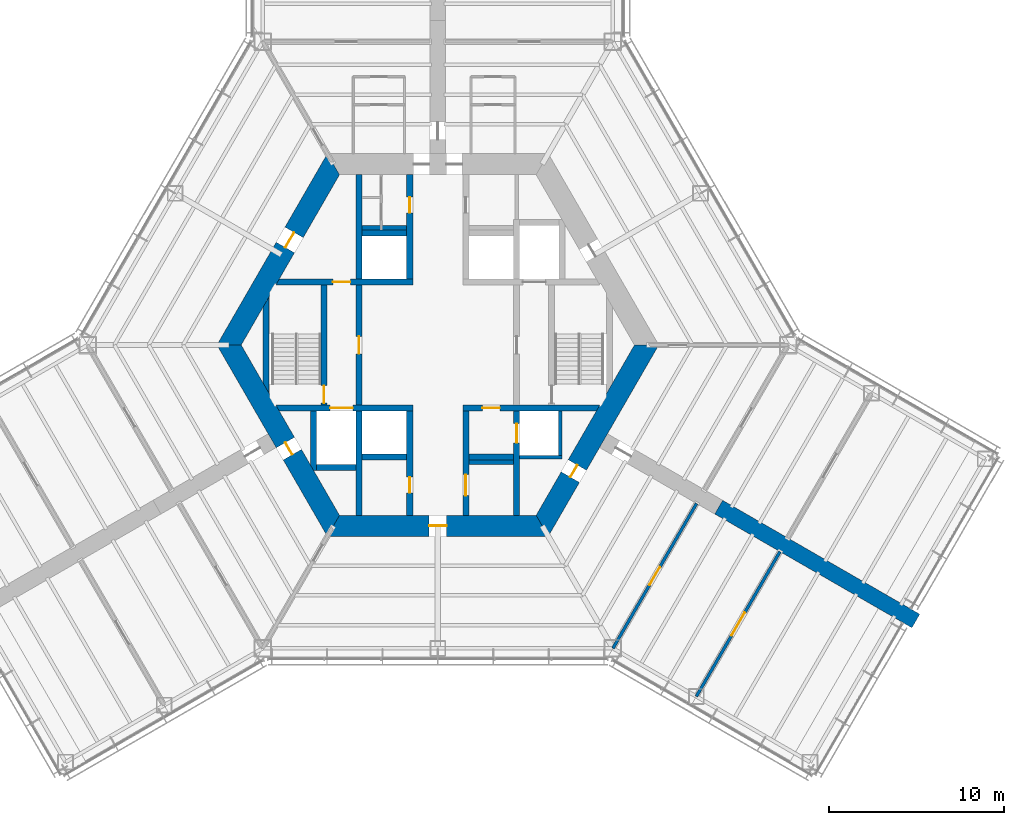
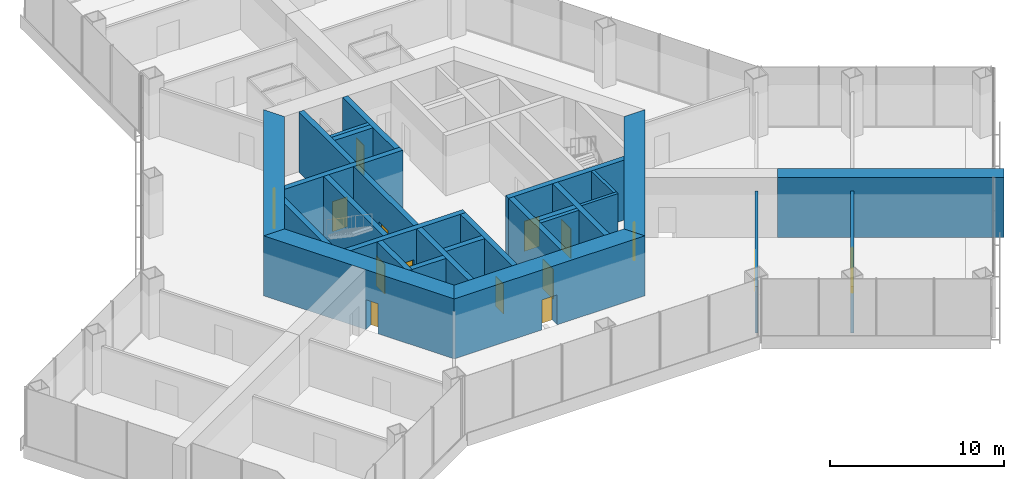
# One storey, part 11 of 15: 28 walls, 15 doors, 15 openings.
"""IFC4 building model written with IfcOpenShell, lengths in metres."""

from ifc_helpers import new_model, si_unit, direction, frame, frame_2d, origin, place, context, subcontext, project, spatial, polyline, rectangle, outline, extrude, material, layer, layer_set, type_object, element, fill, save


model = new_model("IFC4")

# Units and contexts
model_context = context("Model", 3, precision=1e-05, world=origin(), true_north=direction((0.0, 1.0)))
body_context = subcontext(model_context, "Body", "Model", "MODEL_VIEW")
ifc_project = project(units=[si_unit("LENGTHUNIT", "METRE"), si_unit("AREAUNIT", "SQUARE_METRE"), si_unit("VOLUMEUNIT", "CUBIC_METRE"), si_unit("PLANEANGLEUNIT", "RADIAN"), si_unit("MASSUNIT", "GRAM", prefix="KILO")], contexts=[model_context])

# Site, building, storey
site_placement = place(None, origin())
site = spatial("IfcSite", under=ifc_project, at=site_placement, CompositionType="ELEMENT")
building_placement = place(site_placement, origin())
building = spatial("IfcBuilding", under=site, at=building_placement, Name="Kasaneha Research Tower", CompositionType="ELEMENT")
storey_placement = place(building_placement, frame((0.0, 0.0, 39.39990234375)))
storey = spatial("IfcBuildingStorey", under=building, at=storey_placement, Name="L10", CompositionType="ELEMENT", Elevation=39.39990234375)

# Wall, opening, door
ifc_material_1 = material(Name="Concrete Fc100", Category="concrete")
ifc_layer_1 = layer(ifc_material_1, 0.35009765625)
ifc_layer_set_1 = layer_set([ifc_layer_1], Name="Core internal wall 350 Fc100")
wall_type_1 = type_object("IfcWallType", Name="Core internal wall 350 Fc100", PredefinedType="SHEAR", material=ifc_layer_set_1)
wall_1_placement = place(storey_placement, frame((-9.151123046875, 3.60009765625, 0.0), z_axis=(0.0, 0.0, 1.0), x_axis=(1.0, 0.0, 0.0)))
wall_1 = element("IfcWall", 1, at=wall_1_placement, inside=storey, type_object=wall_type_1, Name="Core wall W1W L10", PredefinedType="SHEAR", context=body_context, shape_type="SweptSolid", body=[
    extrude(outline(polyline([(-0.10107421875, -0.175048828125), (3.151123046875, -0.175048828125), (4.151123046875, -0.175048828125), (7.72607421875, -0.175048828125), (7.72607421875, 0.175048828125), (4.151123046875, 0.175048828125), (3.151123046875, 0.175048828125), (0.10107421875, 0.175048828125), (-0.10107421875, -0.175048828125)])), origin(), (0.0, 0.0, 1.0), 4.2001953125),
])
opening_1_placement = place(wall_1_placement, frame((3.151123046875, 0.0, 0.0)))
opening_1 = element("IfcOpeningElement", 2, at=opening_1_placement, cuts=wall_1, Name="Opening L10-D12", PredefinedType="OPENING", context=body_context, shape_type="SweptSolid", body=[
    extrude(rectangle(XDim=1.0, YDim=2.10009765625, at=frame_2d((0.5, 1.050048828125))), frame((0.0, 0.18505859375, 0.0), z_axis=(0.0, -1.0, 0.0), x_axis=(1.0, 0.0, 0.0)), (0.0, 0.0, 1.0), 0.3701171875),
])
ifc_material_2 = material(Name="Steel", Category="steel")
door_type_1 = type_object("IfcDoorType", Name="Specified fire door FD60 1000x2100", OperationType="NOTDEFINED", PredefinedType="DOOR", material=ifc_material_2)
door_1_placement = place(opening_1_placement, origin())
door_1 = element("IfcDoor", 3, at=door_1_placement, inside=storey, type_object=door_type_1, Name="Vestibule to lobby door L10-D12", OperationType="SINGLE_SWING_LEFT", OverallHeight=2.10009765625, OverallWidth=1.0, PredefinedType="DOOR", context=body_context, shape_type="SweptSolid", body=[
    extrude(rectangle(XDim=1.0, YDim=2.10009765625, at=frame_2d((0.5, 1.050048828125))), frame((0.0, 0.02490234375, 0.0), z_axis=(0.0, -1.0, 0.0), x_axis=(1.0, 0.0, 0.0)), (0.0, 0.0, 1.0), 0.050048828125),
])
fill(opening_1, door_1)

wall_2_placement = place(storey_placement, frame((-9.151123046875, -3.60009765625, 0.0), z_axis=(0.0, 0.0, 1.0), x_axis=(1.0, 0.0, 0.0)))
wall_2 = element("IfcWall", 4, at=wall_2_placement, inside=storey, type_object=wall_type_1, Name="Core wall W2W L10", PredefinedType="SHEAR", context=body_context, shape_type="SweptSolid", body=[
    extrude(outline(polyline([(0.10107421875, -0.175048828125), (3.0009765625, -0.175048828125), (4.301025390625, -0.175048828125), (7.72607421875, -0.175048828125), (7.72607421875, 0.175048828125), (4.301025390625, 0.175048828125), (3.0009765625, 0.175048828125), (-0.10107421875, 0.175048828125), (0.10107421875, -0.175048828125)])), origin(), (0.0, 0.0, 1.0), 4.2001953125),
])
opening_2_placement = place(wall_2_placement, frame((3.0009765625, 0.0, 0.0)))
opening_2 = element("IfcOpeningElement", 5, at=opening_2_placement, cuts=wall_2, Name="Opening LD-FL2-L10", PredefinedType="OPENING", context=body_context, shape_type="SweptSolid", body=[
    extrude(rectangle(XDim=1.300048828125, YDim=2.10009765625, at=frame_2d((0.64990234375, 1.050048828125))), frame((0.0, 0.18505859375, 0.0), z_axis=(0.0, -1.0, 0.0), x_axis=(1.0, 0.0, 0.0)), (0.0, 0.0, 1.0), 0.3701171875),
])
ifc_material_3 = material(Name="Steel", Category="steel")
door_type_2 = type_object("IfcDoorType", Name="Lift landing door 1300x2100", OperationType="DOUBLE_DOOR_SLIDING", PredefinedType="DOOR", material=ifc_material_3)
door_2_placement = place(opening_2_placement, origin())
door_2 = element("IfcDoor", 6, at=door_2_placement, inside=storey, type_object=door_type_2, Name="Landing door FL2 LD-FL2-L10", OperationType="DOUBLE_DOOR_SLIDING", OverallHeight=2.10009765625, OverallWidth=1.300048828125, PredefinedType="DOOR", context=body_context, shape_type="SweptSolid", body=[
    extrude(rectangle(XDim=1.300048828125, YDim=2.10009765625, at=frame_2d((0.64990234375, 1.050048828125))), frame((0.0, 0.02490234375, 0.0), z_axis=(0.0, -1.0, 0.0), x_axis=(1.0, 0.0, 0.0)), (0.0, 0.0, 1.0), 0.050048828125),
])
fill(opening_2, door_2)

wall_3_placement = place(storey_placement, frame((1.425048828125, -3.60009765625, 0.0), z_axis=(0.0, 0.0, 1.0), x_axis=(1.0, 0.0, 0.0)))
wall_3 = element("IfcWall", 7, at=wall_3_placement, inside=storey, type_object=wall_type_1, Name="Core wall W2E L10", PredefinedType="SHEAR", context=body_context, shape_type="SweptSolid", body=[
    extrude(outline(polyline([(0.0, -0.175048828125), (1.125, -0.175048828125), (2.125, -0.175048828125), (7.625, -0.175048828125), (7.8271484375, 0.175048828125), (2.125, 0.175048828125), (1.125, 0.175048828125), (0.0, 0.175048828125), (0.0, -0.175048828125)])), origin(), (0.0, 0.0, 1.0), 4.2001953125),
])
opening_3_placement = place(wall_3_placement, frame((1.125, 0.0, 0.0)))
opening_3 = element("IfcOpeningElement", 8, at=opening_3_placement, cuts=wall_3, Name="Opening L10-LV", PredefinedType="OPENING", context=body_context, shape_type="SweptSolid", body=[
    extrude(rectangle(XDim=1.0, YDim=2.10009765625, at=frame_2d((0.5, 1.050048828125))), frame((0.0, 0.18505859375, 0.0), z_axis=(0.0, -1.0, 0.0), x_axis=(1.0, 0.0, 0.0)), (0.0, 0.0, 1.0), 0.3701171875),
])
door_3_placement = place(opening_3_placement, origin())
door_3 = element("IfcDoor", 9, at=door_3_placement, inside=storey, type_object=door_type_1, Name="Podium vestibule door L10-LV", OperationType="SINGLE_SWING_LEFT", OverallHeight=2.10009765625, OverallWidth=1.0, PredefinedType="DOOR", context=body_context, shape_type="SweptSolid", body=[
    extrude(rectangle(XDim=1.0, YDim=2.10009765625, at=frame_2d((0.5, 1.050048828125))), frame((0.0, 0.02490234375, 0.0), z_axis=(0.0, -1.0, 0.0), x_axis=(1.0, 0.0, 0.0)), (0.0, 0.0, 1.0), 0.050048828125),
])
fill(opening_3, door_3)

wall_4_placement = place(storey_placement, frame((-1.60009765625, 3.77490234375, 0.0), z_axis=(0.0, 0.0, 1.0), x_axis=(0.0, 1.0, 0.0)))
wall_4 = element("IfcWall", 10, at=wall_4_placement, inside=storey, type_object=wall_type_1, Name="Core wall CNW L10", PredefinedType="SHEAR", context=body_context, shape_type="SweptSolid", body=[
    extrude(rectangle(XDim=5.9501953125, YDim=0.35009765625, at=frame_2d((2.97509765625, 0.0))), origin(), (0.0, 0.0, 1.0), 4.2001953125),
])
opening_4_placement = place(wall_4_placement, frame((3.77490234375, 0.0, 0.0)))
opening_4 = element("IfcOpeningElement", 11, at=opening_4_placement, cuts=wall_4, Name="Opening L10-D13", PredefinedType="OPENING", context=body_context, shape_type="SweptSolid", body=[
    extrude(rectangle(XDim=0.89990234375, YDim=2.10009765625, at=frame_2d((0.449951171875, 1.050048828125))), frame((0.0, 0.18505859375, 0.0), z_axis=(0.0, -1.0, 0.0), x_axis=(1.0, 0.0, 0.0)), (0.0, 0.0, 1.0), 0.3701171875),
])
ifc_material_4 = material(Name="Steel", Category="steel")
door_type_3 = type_object("IfcDoorType", Name="Toilet door FD20 900x2100", OperationType="NOTDEFINED", PredefinedType="DOOR", material=ifc_material_4)
door_4_placement = place(opening_4_placement, origin())
door_4 = element("IfcDoor", 12, at=door_4_placement, inside=storey, type_object=door_type_3, Name="Men's WC door L10-D13", OperationType="SINGLE_SWING_LEFT", OverallHeight=2.10009765625, OverallWidth=0.89990234375, PredefinedType="DOOR", context=body_context, shape_type="SweptSolid", body=[
    extrude(rectangle(XDim=0.89990234375, YDim=2.10009765625, at=frame_2d((0.449951171875, 1.050048828125))), frame((0.0, 0.02490234375, 0.0), z_axis=(0.0, -1.0, 0.0), x_axis=(1.0, 0.0, 0.0)), (0.0, 0.0, 1.0), 0.050048828125),
])
fill(opening_4, door_4)

wall_5_placement = place(storey_placement, frame((-1.60009765625, -3.77490234375, 0.0), z_axis=(0.0, 0.0, 1.0), x_axis=(0.0, -1.0, 0.0)))
wall_5 = element("IfcWall", 13, at=wall_5_placement, inside=storey, type_object=wall_type_1, Name="Core wall CSW L10", PredefinedType="SHEAR", context=body_context, shape_type="SweptSolid", body=[
    extrude(rectangle(XDim=5.9501953125, YDim=0.35009765625, at=frame_2d((2.97509765625, 0.0))), origin(), (0.0, 0.0, 1.0), 4.2001953125),
])
opening_5_placement = place(wall_5_placement, frame((3.77490234375, 0.0, 0.0)))
opening_5 = element("IfcOpeningElement", 14, at=opening_5_placement, cuts=wall_5, Name="Opening L10-D16", PredefinedType="OPENING", context=body_context, shape_type="SweptSolid", body=[
    extrude(rectangle(XDim=0.89990234375, YDim=2.10009765625, at=frame_2d((0.449951171875, 1.050048828125))), frame((0.0, 0.18505859375, 0.0), z_axis=(0.0, -1.0, 0.0), x_axis=(1.0, 0.0, 0.0)), (0.0, 0.0, 1.0), 0.3701171875),
])
ifc_material_5 = material(Name="Steel", Category="steel")
door_type_4 = type_object("IfcDoorType", Name="Riser access door FD60 900x2100", OperationType="NOTDEFINED", PredefinedType="DOOR", material=ifc_material_5)
door_5_placement = place(opening_5_placement, origin())
door_5 = element("IfcDoor", 15, at=door_5_placement, inside=storey, type_object=door_type_4, Name="Electrical riser door L10-D16", OperationType="SINGLE_SWING_LEFT", OverallHeight=2.10009765625, OverallWidth=0.89990234375, PredefinedType="DOOR", context=body_context, shape_type="SweptSolid", body=[
    extrude(rectangle(XDim=0.89990234375, YDim=2.10009765625, at=frame_2d((0.449951171875, 1.050048828125))), frame((0.0, 0.02490234375, 0.0), z_axis=(0.0, -1.0, 0.0), x_axis=(1.0, 0.0, 0.0)), (0.0, 0.0, 1.0), 0.050048828125),
])
fill(opening_5, door_5)

wall_6_placement = place(storey_placement, frame((1.60009765625, -3.77490234375, 0.0), z_axis=(0.0, 0.0, 1.0), x_axis=(0.0, -1.0, 0.0)))
wall_6 = element("IfcWall", 16, at=wall_6_placement, inside=storey, type_object=wall_type_1, Name="Core wall CSE L10", PredefinedType="SHEAR", context=body_context, shape_type="SweptSolid", body=[
    extrude(rectangle(XDim=5.9501953125, YDim=0.35009765625, at=frame_2d((2.97509765625, 0.0))), origin(), (0.0, 0.0, 1.0), 4.2001953125),
])
opening_6_placement = place(wall_6_placement, frame((3.625, 0.0, 0.0)))
opening_6 = element("IfcOpeningElement", 17, at=opening_6_placement, cuts=wall_6, Name="Opening L10-D15", PredefinedType="OPENING", context=body_context, shape_type="SweptSolid", body=[
    extrude(rectangle(XDim=1.199951171875, YDim=2.10009765625, at=frame_2d((0.60009765625, 1.050048828125))), frame((0.0, 0.18505859375, 0.0), z_axis=(0.0, -1.0, 0.0), x_axis=(1.0, 0.0, 0.0)), (0.0, 0.0, 1.0), 0.3701171875),
])
ifc_material_6 = material(Name="Steel", Category="steel")
door_type_5 = type_object("IfcDoorType", Name="Accessible toilet sliding door FD20 1200x2100", OperationType="SLIDING_TO_LEFT", PredefinedType="DOOR", material=ifc_material_6)
door_6_placement = place(opening_6_placement, origin())
door_6 = element("IfcDoor", 18, at=door_6_placement, inside=storey, type_object=door_type_5, Name="Accessible WC door L10-D15", OperationType="SLIDING_TO_LEFT", OverallHeight=2.10009765625, OverallWidth=1.199951171875, PredefinedType="DOOR", context=body_context, shape_type="SweptSolid", body=[
    extrude(rectangle(XDim=1.199951171875, YDim=2.10009765625, at=frame_2d((0.60009765625, 1.050048828125))), frame((0.0, 0.02490234375, 0.0), z_axis=(0.0, -1.0, 0.0), x_axis=(1.0, 0.0, 0.0)), (0.0, 0.0, 1.0), 0.050048828125),
])
fill(opening_6, door_6)

wall_7_placement = place(storey_placement, frame((-4.5, -3.425048828125, 0.0), z_axis=(0.0, 0.0, 1.0), x_axis=(0.0, 1.0, 0.0)))
wall_7 = element("IfcWall", 19, at=wall_7_placement, inside=storey, type_object=wall_type_1, Name="Core wall LBW L10", PredefinedType="SHEAR", context=body_context, shape_type="SweptSolid", body=[
    extrude(rectangle(XDim=6.85009765625, YDim=0.35009765625, at=frame_2d((3.425048828125, 0.0))), origin(), (0.0, 0.0, 1.0), 4.2001953125),
])
opening_7_placement = place(wall_7_placement, frame((2.925048828125, 0.0, 0.0)))
opening_7 = element("IfcOpeningElement", 20, at=opening_7_placement, cuts=wall_7, Name="Opening L10-D09", PredefinedType="OPENING", context=body_context, shape_type="SweptSolid", body=[
    extrude(rectangle(XDim=1.0, YDim=2.10009765625, at=frame_2d((0.5, 1.050048828125))), frame((0.0, 0.18505859375, 0.0), z_axis=(0.0, -1.0, 0.0), x_axis=(1.0, 0.0, 0.0)), (0.0, 0.0, 1.0), 0.3701171875),
])
door_7_placement = place(opening_7_placement, origin())
door_7 = element("IfcDoor", 21, at=door_7_placement, inside=storey, type_object=door_type_1, Name="Lift lobby door west L10-D09", OperationType="SINGLE_SWING_LEFT", OverallHeight=2.10009765625, OverallWidth=1.0, PredefinedType="DOOR", context=body_context, shape_type="SweptSolid", body=[
    extrude(rectangle(XDim=1.0, YDim=2.10009765625, at=frame_2d((0.5, 1.050048828125))), frame((0.0, 0.02490234375, 0.0), z_axis=(0.0, -1.0, 0.0), x_axis=(1.0, 0.0, 0.0)), (0.0, 0.0, 1.0), 0.050048828125),
])
fill(opening_7, door_7)

wall_8_placement = place(storey_placement, frame((-6.5, -3.425048828125, 0.0), z_axis=(0.0, 0.0, 1.0), x_axis=(0.0, 1.0, 0.0)))
wall_8 = element("IfcWall", 22, at=wall_8_placement, inside=storey, type_object=wall_type_1, Name="Core wall ANW L10", PredefinedType="SHEAR", context=body_context, shape_type="SweptSolid", body=[
    extrude(rectangle(XDim=6.85009765625, YDim=0.35009765625, at=frame_2d((3.425048828125, 0.0))), origin(), (0.0, 0.0, 1.0), 4.2001953125),
])
opening_8_placement = place(wall_8_placement, frame((0.10009765625, 0.0, 0.0)))
opening_8 = element("IfcOpeningElement", 23, at=opening_8_placement, cuts=wall_8, Name="Opening L10-D11", PredefinedType="OPENING", context=body_context, shape_type="SweptSolid", body=[
    extrude(rectangle(XDim=1.0, YDim=2.10009765625, at=frame_2d((0.5, 1.050048828125))), frame((0.0, 0.18505859375, 0.0), z_axis=(0.0, -1.0, 0.0), x_axis=(1.0, 0.0, 0.0)), (0.0, 0.0, 1.0), 0.3701171875),
])
door_8_placement = place(opening_8_placement, origin())
door_8 = element("IfcDoor", 24, at=door_8_placement, inside=storey, type_object=door_type_1, Name="Stair 2 door L10-D11", OperationType="SINGLE_SWING_LEFT", OverallHeight=2.10009765625, OverallWidth=1.0, PredefinedType="DOOR", context=body_context, shape_type="SweptSolid", body=[
    extrude(rectangle(XDim=1.0, YDim=2.10009765625, at=frame_2d((0.5, 1.050048828125))), frame((0.0, 0.02490234375, 0.0), z_axis=(0.0, -1.0, 0.0), x_axis=(1.0, 0.0, 0.0)), (0.0, 0.0, 1.0), 0.050048828125),
])
fill(opening_8, door_8)

# Walls
for number, where, z_axis, x_axis, name in (
    (25, (-4.5, 3.77490234375, 0.0), (0.0, 0.0, 1.0), (0.0, 1.0, 0.0), "Core wall VNW L10"),
    (26, (-4.5, -3.77490234375, 0.0), (0.0, 0.0, 1.0), (0.0, -1.0, 0.0), "Core wall SSW L10"),
):
    element("IfcWall", number, at=place(storey_placement, frame(where, z_axis=z_axis, x_axis=x_axis)), inside=storey, type_object=wall_type_1, Name=name, PredefinedType="SHEAR", context=body_context, shape_type="SweptSolid", body=[
        extrude(rectangle(XDim=5.9501953125, YDim=0.35009765625, at=frame_2d((2.97509765625, 0.0))), origin(), (0.0, 0.0, 1.0), 4.2001953125),
    ])

# Wall, opening, door
wall_9_placement = place(storey_placement, frame((4.5, -3.77490234375, 0.0), z_axis=(0.0, 0.0, 1.0), x_axis=(0.0, -1.0, 0.0)))
wall_9 = element("IfcWall", 27, at=wall_9_placement, inside=storey, type_object=wall_type_1, Name="Core wall SSE L10", PredefinedType="SHEAR", context=body_context, shape_type="SweptSolid", body=[
    extrude(rectangle(XDim=5.9501953125, YDim=0.35009765625, at=frame_2d((2.97509765625, 0.0))), origin(), (0.0, 0.0, 1.0), 4.2001953125),
])
opening_9_placement = place(wall_9_placement, frame((0.71240234375, 0.0, 0.0)))
opening_9 = element("IfcOpeningElement", 28, at=opening_9_placement, cuts=wall_9, Name="Opening LD-PL1-L10", PredefinedType="OPENING", context=body_context, shape_type="SweptSolid", body=[
    extrude(rectangle(XDim=1.10009765625, YDim=2.10009765625, at=frame_2d((0.550048828125, 1.050048828125))), frame((0.0, 0.18505859375, 0.0), z_axis=(0.0, -1.0, 0.0), x_axis=(1.0, 0.0, 0.0)), (0.0, 0.0, 1.0), 0.3701171875),
])
ifc_material_7 = material(Name="Steel", Category="steel")
door_type_6 = type_object("IfcDoorType", Name="Lift landing door 1100x2100", OperationType="DOUBLE_DOOR_SLIDING", PredefinedType="DOOR", material=ifc_material_7)
door_9_placement = place(opening_9_placement, origin())
door_9 = element("IfcDoor", 29, at=door_9_placement, inside=storey, type_object=door_type_6, Name="Landing door PL1 LD-PL1-L10", OperationType="DOUBLE_DOOR_SLIDING", OverallHeight=2.10009765625, OverallWidth=1.10009765625, PredefinedType="DOOR", context=body_context, shape_type="SweptSolid", body=[
    extrude(rectangle(XDim=1.10009765625, YDim=2.10009765625, at=frame_2d((0.550048828125, 1.050048828125))), frame((0.0, 0.02490234375, 0.0), z_axis=(0.0, -1.0, 0.0), x_axis=(1.0, 0.0, 0.0)), (0.0, 0.0, 1.0), 0.050048828125),
])
fill(opening_9, door_9)

# Walls
for number, where, z_axis, x_axis, name in (
    (30, (-4.324951171875, 6.39990234375, 0.0), (0.0, 0.0, 1.0), (1.0, 0.0, 0.0), "Core wall N1N L10"),
    (31, (-4.324951171875, -6.39990234375, 0.0), (0.0, 0.0, 1.0), (1.0, 0.0, 0.0), "Core wall S1S L10"),
    (32, (1.77490234375, -6.39990234375, 0.0), (0.0, 0.0, 1.0), (1.0, 0.0, 0.0), "Core wall S3S L10"),
):
    element("IfcWall", number, at=place(storey_placement, frame(where, z_axis=z_axis, x_axis=x_axis)), inside=storey, type_object=wall_type_1, Name=name, PredefinedType="SHEAR", context=body_context, shape_type="SweptSolid", body=[
        extrude(rectangle(XDim=2.550048828125, YDim=0.35009765625, at=frame_2d((1.27490234375, 0.0))), origin(), (0.0, 0.0, 1.0), 4.2001953125),
    ])
wall_10_placement = place(storey_placement, frame((-6.925048828125, -7.0, 0.0), z_axis=(0.0, 0.0, 1.0), x_axis=(1.0, 0.0, 0.0)))
element("IfcWall", 33, at=wall_10_placement, inside=storey, type_object=wall_type_1, Name="Core wall F2S L10", PredefinedType="SHEAR", context=body_context, shape_type="SweptSolid", body=[
    extrude(rectangle(XDim=2.25, YDim=0.35009765625, at=frame_2d((1.125, 0.0))), origin(), (0.0, 0.0, 1.0), 4.2001953125),
])
wall_11_placement = place(storey_placement, frame((-7.10009765625, -3.77490234375, 0.0), z_axis=(0.0, 0.0, 1.0), x_axis=(0.0, -1.0, 0.0)))
element("IfcWall", 34, at=wall_11_placement, inside=storey, type_object=wall_type_1, Name="Core wall F2W L10", PredefinedType="SHEAR", context=body_context, shape_type="SweptSolid", body=[
    extrude(outline(polyline([(0.0, -0.175048828125), (3.07421875, -0.175048828125), (3.37744140625, 0.0), (3.39990234375, 0.175048828125), (0.0, 0.175048828125), (0.0, -0.175048828125)])), origin(), (0.0, 0.0, 1.0), 4.2001953125),
])
wall_12_placement = place(storey_placement, frame((-9.807861328125, -2.462158203125, 0.0), z_axis=(0.0, 0.0, 1.0), x_axis=(0.0, 1.0, 0.0)))
element("IfcWall", 35, at=wall_12_placement, inside=storey, type_object=wall_type_1, Name="Core wall STW L10", PredefinedType="SHEAR", context=body_context, shape_type="SweptSolid", body=[
    extrude(outline(polyline([(-0.30322265625, -0.175048828125), (5.2275390625, -0.175048828125), (4.62109375, 0.175048828125), (0.30322265625, 0.175048828125), (-0.30322265625, -0.175048828125)])), origin(), (0.0, 0.0, 1.0), 4.2001953125),
])

# Wall, opening, door
ifc_material_8 = material(Name="Concrete Fc100", Category="concrete")
ifc_layer_2 = layer(ifc_material_8, 1.199951171875)
ifc_layer_set_2 = layer_set([ifc_layer_2], Name="Core wall 1200 Fc100")
wall_type_2 = type_object("IfcWallType", Name="Core wall 1200 Fc100", PredefinedType="SHEAR", material=ifc_layer_set_2)
wall_13_placement = place(storey_placement, frame((-5.961181640625, 10.324951171875, 0.0), z_axis=(0.0, 0.0, 1.0), x_axis=(-0.500004296715, -0.866022923061, 0.0)))
wall_13 = element("IfcWall", 36, at=wall_13_placement, inside=storey, type_object=wall_type_2, Name="Core wall 150 L10", PredefinedType="SHEAR", context=body_context, shape_type="SweptSolid", body=[
    extrude(outline(polyline([(-0.346435546875, -0.60009765625), (4.494140625, -0.60009765625), (5.494140625, -0.60009765625), (12.268798828125, -0.60009765625), (11.575927734375, 0.60009765625), (5.494140625, 0.60009765625), (4.494140625, 0.60009765625), (0.346435546875, 0.60009765625), (-0.346435546875, -0.60009765625)])), origin(), (0.0, 0.0, 1.0), 4.2001953125),
])
opening_10_placement = place(wall_13_placement, frame((4.494140625, 0.0, 0.0)))
opening_10 = element("IfcOpeningElement", 37, at=opening_10_placement, cuts=wall_13, Name="Opening L10-D07", PredefinedType="OPENING", context=body_context, shape_type="SweptSolid", body=[
    extrude(rectangle(XDim=1.0, YDim=2.10009765625, at=frame_2d((0.5, 1.050048828125))), frame((0.0, 0.60986328125, 0.0), z_axis=(0.0, -1.0, 0.0), x_axis=(1.0, 0.0, 0.0)), (0.0, 0.0, 1.0), 1.219970703125),
])
ifc_material_9 = material(Name="Steel", Category="steel")
door_type_7 = type_object("IfcDoorType", Name="Fire door FD20 1000x2100", OperationType="NOTDEFINED", PredefinedType="DOOR", material=ifc_material_9)
door_10_placement = place(opening_10_placement, origin())
door_10 = element("IfcDoor", 38, at=door_10_placement, inside=storey, type_object=door_type_7, Name="Vestibule door L10-D07", OperationType="SINGLE_SWING_LEFT", OverallHeight=2.10009765625, OverallWidth=1.0, PredefinedType="DOOR", context=body_context, shape_type="SweptSolid", body=[
    extrude(rectangle(XDim=1.0, YDim=2.10009765625, at=frame_2d((0.5, 1.050048828125))), frame((0.0, 0.02490234375, 0.0), z_axis=(0.0, -1.0, 0.0), x_axis=(1.0, 0.0, 0.0)), (0.0, 0.0, 1.0), 0.050048828125),
])
fill(opening_10, door_10)

wall_14_placement = place(storey_placement, frame((-11.92236328125, 0.0, 0.0), z_axis=(0.0, 0.0, 1.0), x_axis=(0.500004296715, -0.866022923061, 0.0)))
wall_14 = element("IfcWall", 39, at=wall_14_placement, inside=storey, type_object=wall_type_2, Name="Core wall 210 L10", PredefinedType="SHEAR", context=body_context, shape_type="SweptSolid", body=[
    extrude(outline(polyline([(-0.346435546875, -0.60009765625), (6.43115234375, -0.60009765625), (7.231201171875, -0.60009765625), (12.268798828125, -0.60009765625), (11.575927734375, 0.60009765625), (7.231201171875, 0.60009765625), (6.43115234375, 0.60009765625), (0.346435546875, 0.60009765625), (-0.346435546875, -0.60009765625)])), origin(), (0.0, 0.0, 1.0), 4.2001953125),
])
opening_11_placement = place(wall_14_placement, frame((6.43115234375, 0.0, 0.0)))
opening_11 = element("IfcOpeningElement", 40, at=opening_11_placement, cuts=wall_14, Name="Opening L10-D06", PredefinedType="OPENING", context=body_context, shape_type="SweptSolid", body=[
    extrude(rectangle(XDim=0.800048828125, YDim=2.10009765625, at=frame_2d((0.39990234375, 1.050048828125))), frame((0.0, 0.60986328125, 0.0), z_axis=(0.0, -1.0, 0.0), x_axis=(1.0, 0.0, 0.0)), (0.0, 0.0, 1.0), 1.219970703125),
])
ifc_material_10 = material(Name="Steel", Category="steel")
door_type_8 = type_object("IfcDoorType", Name="Riser access door FD60 800x2100", OperationType="NOTDEFINED", PredefinedType="DOOR", material=ifc_material_10)
door_11_placement = place(opening_11_placement, origin())
door_11 = element("IfcDoor", 41, at=door_11_placement, inside=storey, type_object=door_type_8, Name="Duct riser door L10-D06", OperationType="SINGLE_SWING_RIGHT", OverallHeight=2.10009765625, OverallWidth=0.800048828125, PredefinedType="DOOR", context=body_context, shape_type="SweptSolid", body=[
    extrude(rectangle(XDim=0.800048828125, YDim=2.10009765625, at=frame_2d((0.39990234375, 1.050048828125))), frame((0.0, 0.02490234375, 0.0), z_axis=(0.0, -1.0, 0.0), x_axis=(1.0, 0.0, 0.0)), (0.0, 0.0, 1.0), 0.050048828125),
])
fill(opening_11, door_11)

wall_15_placement = place(storey_placement, frame((-5.961181640625, -10.324951171875, 0.0), z_axis=(0.0, 0.0, 1.0), x_axis=(1.0, 0.0, 0.0)))
wall_15 = element("IfcWall", 42, at=wall_15_placement, inside=storey, type_object=wall_type_2, Name="Core wall 270 L10", PredefinedType="SHEAR", context=body_context, shape_type="SweptSolid", body=[
    extrude(outline(polyline([(-0.346435546875, -0.60009765625), (5.461181640625, -0.60009765625), (6.461181640625, -0.60009765625), (12.268798828125, -0.60009765625), (11.575927734375, 0.60009765625), (6.461181640625, 0.60009765625), (5.461181640625, 0.60009765625), (0.346435546875, 0.60009765625), (-0.346435546875, -0.60009765625)])), origin(), (0.0, 0.0, 1.0), 4.2001953125),
])
opening_12_placement = place(wall_15_placement, frame((5.461181640625, 0.0, 0.0)))
opening_12 = element("IfcOpeningElement", 43, at=opening_12_placement, cuts=wall_15, Name="Opening L10-D03", PredefinedType="OPENING", context=body_context, shape_type="SweptSolid", body=[
    extrude(rectangle(XDim=1.0, YDim=2.10009765625, at=frame_2d((0.5, 1.050048828125))), frame((0.0, 0.60986328125, 0.0), z_axis=(0.0, -1.0, 0.0), x_axis=(1.0, 0.0, 0.0)), (0.0, 0.0, 1.0), 1.219970703125),
])
door_12_placement = place(opening_12_placement, origin())
door_12 = element("IfcDoor", 44, at=door_12_placement, inside=storey, type_object=door_type_7, Name="Core door south L10-D03", OperationType="SINGLE_SWING_LEFT", OverallHeight=2.10009765625, OverallWidth=1.0, PredefinedType="DOOR", context=body_context, shape_type="SweptSolid", body=[
    extrude(rectangle(XDim=1.0, YDim=2.10009765625, at=frame_2d((0.5, 1.050048828125))), frame((0.0, 0.02490234375, 0.0), z_axis=(0.0, -1.0, 0.0), x_axis=(1.0, 0.0, 0.0)), (0.0, 0.0, 1.0), 0.050048828125),
])
fill(opening_12, door_12)

wall_16_placement = place(storey_placement, frame((5.961181640625, -10.324951171875, 0.0), z_axis=(0.0, 0.0, 1.0), x_axis=(0.500004296715, 0.866022923061, 0.0)))
wall_16 = element("IfcWall", 45, at=wall_16_placement, inside=storey, type_object=wall_type_2, Name="Core wall 330 L10", PredefinedType="SHEAR", context=body_context, shape_type="SweptSolid", body=[
    extrude(outline(polyline([(-0.346435546875, -0.60009765625), (3.20849609375, -0.60009765625), (4.008544921875, -0.60009765625), (12.268798828125, -0.60009765625), (11.575927734375, 0.60009765625), (4.008544921875, 0.60009765625), (3.20849609375, 0.60009765625), (0.346435546875, 0.60009765625), (-0.346435546875, -0.60009765625)])), origin(), (0.0, 0.0, 1.0), 4.2001953125),
])
opening_13_placement = place(wall_16_placement, frame((3.20849609375, 0.0, 0.0)))
opening_13 = element("IfcOpeningElement", 46, at=opening_13_placement, cuts=wall_16, Name="Opening L10-D05", PredefinedType="OPENING", context=body_context, shape_type="SweptSolid", body=[
    extrude(rectangle(XDim=0.800048828125, YDim=2.10009765625, at=frame_2d((0.39990234375, 1.050048828125))), frame((0.0, 0.60986328125, 0.0), z_axis=(0.0, -1.0, 0.0), x_axis=(1.0, 0.0, 0.0)), (0.0, 0.0, 1.0), 1.219970703125),
])
door_13_placement = place(opening_13_placement, origin())
door_13 = element("IfcDoor", 47, at=door_13_placement, inside=storey, type_object=door_type_8, Name="Pipe riser door L10-D05", OperationType="SINGLE_SWING_LEFT", OverallHeight=2.10009765625, OverallWidth=0.800048828125, PredefinedType="DOOR", context=body_context, shape_type="SweptSolid", body=[
    extrude(rectangle(XDim=0.800048828125, YDim=2.10009765625, at=frame_2d((0.39990234375, 1.050048828125))), frame((0.0, 0.02490234375, 0.0), z_axis=(0.0, -1.0, 0.0), x_axis=(1.0, 0.0, 0.0)), (0.0, 0.0, 1.0), 0.050048828125),
])
fill(opening_13, door_13)

ifc_material_11 = material(Name="Gypsum board on steel studs, two layers each side", Category="steel")
ifc_layer_3 = layer(ifc_material_11, 0.175048828125)
ifc_layer_set_3 = layer_set([ifc_layer_3], Name="Laboratory fire partition 175")
wall_type_3 = type_object("IfcWallType", Name="Laboratory fire partition 175", PredefinedType="PARTITIONING", material=ifc_layer_set_3)
wall_17_placement = place(storey_placement, frame((14.77490234375, -9.050048828125, 0.0), z_axis=(0.0, 0.0, 1.0), x_axis=(-0.499993908199, -0.866028920859, 0.0)))
wall_17 = element("IfcWall", 48, at=wall_17_placement, inside=storey, type_object=wall_type_3, Name="Laboratory fire partition LABC-S L10", PredefinedType="PARTITIONING", context=body_context, shape_type="SweptSolid", body=[
    extrude(rectangle(XDim=9.5498046875, YDim=0.175048828125, at=frame_2d((4.77490234375, 0.0))), origin(), (0.0, 0.0, 1.0), 3.238037109375),
])
opening_14_placement = place(wall_17_placement, frame((4.175048828125, 0.0, 0.0)))
opening_14 = element("IfcOpeningElement", 49, at=opening_14_placement, cuts=wall_17, Name="Opening L10-D39", PredefinedType="OPENING", context=body_context, shape_type="SweptSolid", body=[
    extrude(rectangle(XDim=1.199951171875, YDim=2.10009765625, at=frame_2d((0.60009765625, 1.050048828125))), frame((0.0, 0.09765625, 0.0), z_axis=(0.0, -1.0, 0.0), x_axis=(1.0, 0.0, 0.0)), (0.0, 0.0, 1.0), 0.195068359375),
])
ifc_material_12 = material(Name="Steel", Category="steel")
door_type_9 = type_object("IfcDoorType", Name="Laboratory door FD60 1200x2100", OperationType="DOUBLE_DOOR_SINGLE_SWING", PredefinedType="DOOR", material=ifc_material_12)
door_14_placement = place(opening_14_placement, origin())
door_14 = element("IfcDoor", 50, at=door_14_placement, inside=storey, type_object=door_type_9, Name="Laboratory door L10-D39", OperationType="DOUBLE_DOOR_SINGLE_SWING", OverallHeight=2.10009765625, OverallWidth=1.199951171875, PredefinedType="DOOR", context=body_context, shape_type="SweptSolid", body=[
    extrude(rectangle(XDim=1.199951171875, YDim=2.10009765625, at=frame_2d((0.60009765625, 1.050048828125))), frame((0.0, 0.02490234375, 0.0), z_axis=(0.0, -1.0, 0.0), x_axis=(1.0, 0.0, 0.0)), (0.0, 0.0, 1.0), 0.050048828125),
])
fill(opening_14, door_14)

wall_18_placement = place(storey_placement, frame((19.5380859375, -11.800048828125, 0.0), z_axis=(0.0, 0.0, 1.0), x_axis=(-0.499993908199, -0.866028920859, 0.0)))
wall_18 = element("IfcWall", 51, at=wall_18_placement, inside=storey, type_object=wall_type_3, Name="Laboratory fire partition INSC-S L10", PredefinedType="PARTITIONING", context=body_context, shape_type="SweptSolid", body=[
    extrude(rectangle(XDim=9.5498046875, YDim=0.175048828125, at=frame_2d((4.77490234375, 0.0))), origin(), (0.0, 0.0, 1.0), 3.22998046875),
])
opening_15_placement = place(wall_18_placement, frame((4.02490234375, 0.0, 0.0)))
opening_15 = element("IfcOpeningElement", 52, at=opening_15_placement, cuts=wall_18, Name="Opening L10-D40", PredefinedType="OPENING", context=body_context, shape_type="SweptSolid", body=[
    extrude(rectangle(XDim=1.5, YDim=2.10009765625, at=frame_2d((0.75, 1.050048828125))), frame((0.0, 0.09765625, 0.0), z_axis=(0.0, -1.0, 0.0), x_axis=(1.0, 0.0, 0.0)), (0.0, 0.0, 1.0), 0.195068359375),
])
ifc_material_13 = material(Name="Steel", Category="steel")
door_type_10 = type_object("IfcDoorType", Name="Laboratory door FD60 1500x2100", OperationType="DOUBLE_DOOR_SINGLE_SWING", PredefinedType="DOOR", material=ifc_material_13)
door_15_placement = place(opening_15_placement, origin())
door_15 = element("IfcDoor", 53, at=door_15_placement, inside=storey, type_object=door_type_10, Name="Instrument room door L10-D40", OperationType="DOUBLE_DOOR_SINGLE_SWING", OverallHeight=2.10009765625, OverallWidth=1.5, PredefinedType="DOOR", context=body_context, shape_type="SweptSolid", body=[
    extrude(rectangle(XDim=1.5, YDim=2.10009765625, at=frame_2d((0.75, 1.050048828125))), frame((0.0, 0.02490234375, 0.0), z_axis=(0.0, -1.0, 0.0), x_axis=(1.0, 0.0, 0.0)), (0.0, 0.0, 1.0), 0.050048828125),
])
fill(opening_15, door_15)

# Walls
ifc_material_14 = material(Name="Concrete block", Category="concrete")
ifc_layer_4 = layer(ifc_material_14, 0.199951171875)
ifc_layer_set_4 = layer_set([ifc_layer_4], Name="Lift shaft wall 200")
wall_type_4 = type_object("IfcWallType", Name="Lift shaft wall 200", PredefinedType="STANDARD", material=ifc_layer_set_4)
wall_19_placement = place(storey_placement, frame((4.675048828125, -6.39990234375, 0.0), z_axis=(0.0, 0.0, 1.0), x_axis=(1.0, 0.0, 0.0)))
element("IfcWall", 54, at=wall_19_placement, inside=storey, type_object=wall_type_4, Name="Lift shaft wall P1S L10", PredefinedType="STANDARD", context=body_context, shape_type="SweptSolid", body=[
    extrude(rectangle(XDim=2.425048828125, YDim=0.199951171875, at=frame_2d((1.21240234375, 0.0))), origin(), (0.0, 0.0, 1.0), 4.2001953125),
])
wall_20_placement = place(storey_placement, frame((7.0, -3.77490234375, 0.0), z_axis=(0.0, 0.0, 1.0), x_axis=(0.0, -1.0, 0.0)))
element("IfcWall", 55, at=wall_20_placement, inside=storey, type_object=wall_type_4, Name="Lift shaft wall P1E L10", PredefinedType="STANDARD", context=body_context, shape_type="SweptSolid", body=[
    extrude(rectangle(XDim=2.525146484375, YDim=0.199951171875, at=frame_2d((1.2626953125, 0.0))), origin(), (0.0, 0.0, 1.0), 4.2001953125),
])
ifc_material_15 = material(Name="Concrete Fc100", Category="concrete")
ifc_layer_5 = layer(ifc_material_15, 0.89990234375)
ifc_layer_set_5 = layer_set([ifc_layer_5], Name="Spine wall 900 Fc100")
wall_type_5 = type_object("IfcWallType", Name="Spine wall 900 Fc100", PredefinedType="SHEAR", material=ifc_layer_set_5)
wall_21_placement = place(storey_placement, frame((16.039306640625, -9.26025390625, 0.0), z_axis=(0.0, 0.0, 1.0), x_axis=(0.866024837091, -0.50000098154, 0.0)))
element("IfcWall", 56, at=wall_21_placement, inside=storey, type_object=wall_type_5, Name="Spine wall C wing L10", PredefinedType="SHEAR", context=body_context, shape_type="SweptSolid", body=[
    extrude(rectangle(XDim=13.0, YDim=0.89990234375, at=frame_2d((6.5, 0.0))), origin(), (0.0, 0.0, 1.0), 4.2001953125),
])
ifc_material_16 = material(Name="Concrete block lining", Category="concrete")
ifc_layer_6 = layer(ifc_material_16, 0.25)
ifc_layer_set_6 = layer_set([ifc_layer_6], Name="WC plumbing wall 250")
wall_type_6 = type_object("IfcWallType", Name="WC plumbing wall 250", PredefinedType="PLUMBINGWALL", material=ifc_layer_set_6)
for number, where, z_axis, x_axis, name in (
    (57, (-4.324951171875, 6.699951171875, 0.0), (0.0, 0.0, 1.0), (1.0, 0.0, 0.0), "WC plumbing wall M L10"),
    (58, (1.77490234375, -6.699951171875, 0.0), (0.0, 0.0, 1.0), (1.0, 0.0, 0.0), "WC plumbing wall A L10"),
):
    element("IfcWall", number, at=place(storey_placement, frame(where, z_axis=z_axis, x_axis=x_axis)), inside=storey, type_object=wall_type_6, Name=name, PredefinedType="PLUMBINGWALL", context=body_context, shape_type="SweptSolid", body=[
        extrude(rectangle(XDim=2.550048828125, YDim=0.25, at=frame_2d((1.27490234375, 0.0))), origin(), (0.0, 0.0, 1.0), 4.2001953125),
    ])

save(model, "model.ifc")
